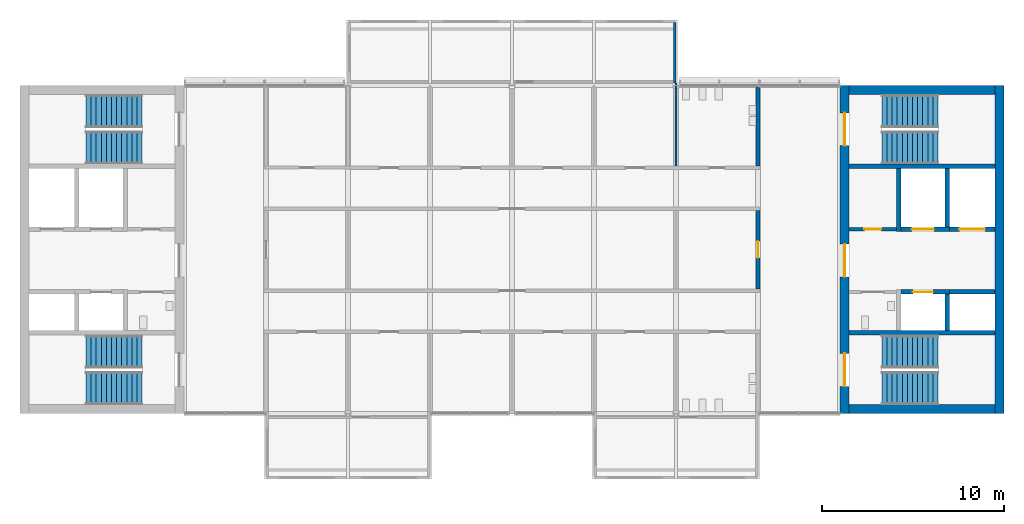
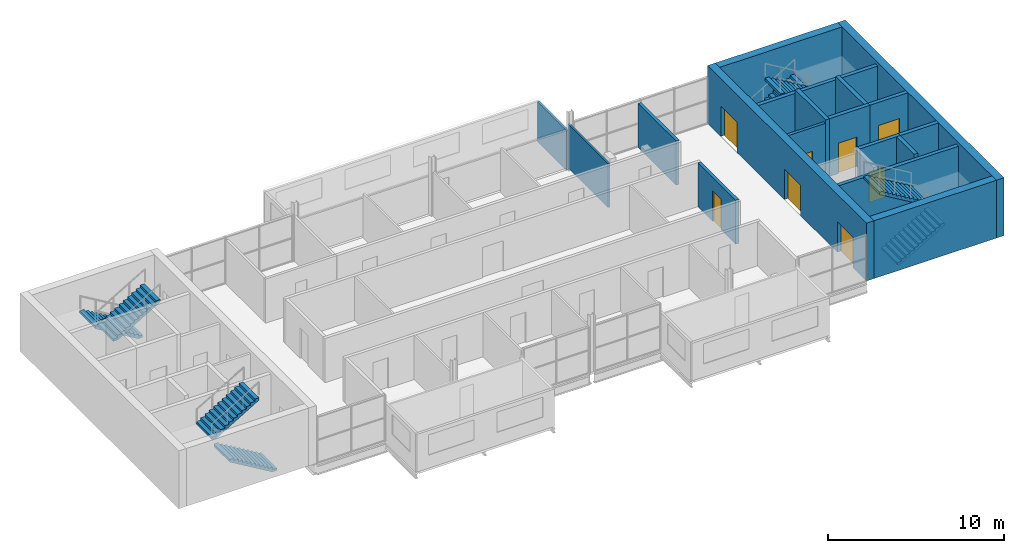
# One storey, part 7 of 10: 18 walls, 8 doors, 8 stair flights, 8 openings, 4 elements without a shape of their own.
"""IFC4 building model written with IfcOpenShell, lengths in metres."""

from ifc_helpers import new_model, si_unit, direction, frame, frame_2d, origin, place, context, subcontext, project, spatial, polyline, rectangle, outline, extrude, material, layer, layer_set, type_object, element, fill, aggregate, save


model = new_model("IFC4")

# Units and contexts
model_context = context("Model", 3, precision=1e-05, world=origin(), true_north=direction((0.0, 1.0)))
body_context = subcontext(model_context, "Body", "Model", "MODEL_VIEW")
ifc_project = project(units=[si_unit("LENGTHUNIT", "METRE"), si_unit("AREAUNIT", "SQUARE_METRE"), si_unit("VOLUMEUNIT", "CUBIC_METRE"), si_unit("PLANEANGLEUNIT", "RADIAN"), si_unit("MASSUNIT", "GRAM", prefix="KILO")], contexts=[model_context])

# Site, building, storey
site_placement = place(None, origin())
site = spatial("IfcSite", under=ifc_project, at=site_placement, CompositionType="ELEMENT")
building_placement = place(site_placement, origin())
building = spatial("IfcBuilding", under=site, at=building_placement, Name="Corbel Yard City Hall", CompositionType="ELEMENT")
storey_placement = place(building_placement, frame((0.0, 0.0, 59.199951171875)))
storey = spatial("IfcBuildingStorey", under=building, at=storey_placement, Name="L14", CompositionType="ELEMENT", Elevation=59.199951171875)

# Walls
ifc_material_1 = material(Name="Concrete N40 (40 MPa)", Category="concrete")
ifc_layer_1 = layer(ifc_material_1, 0.25)
ifc_layer_set_1 = layer_set([ifc_layer_1], Name="Concrete N40 (40 MPa)")
wall_type_1 = type_object("IfcWallType", Name="IW2", PredefinedType="SOLIDWALL", material=ifc_layer_set_1)
for number, where, z_axis, x_axis, name in (
    (1, (45.5, 103.425048828125, 0.0), (0.0, 0.0, 1.0), (1.0, 0.0, 0.0), "Stair enclosure wall"),
    (2, (45.5, 112.574951171875, 0.0), (0.0, 0.0, 1.0), (1.0, 0.0, 0.0), "Stair enclosure wall"),
):
    element("IfcWall", number, at=place(storey_placement, frame(where, z_axis=z_axis, x_axis=x_axis)), inside=storey, type_object=wall_type_1, Name=name, PredefinedType="SOLIDWALL", context=body_context, shape_type="SweptSolid", body=[
        extrude(rectangle(XDim=8.0, YDim=0.25, at=frame_2d((4.0, 0.0))), origin(), (0.0, 0.0, 1.0), 3.75),
    ])
wall_1_placement = place(storey_placement, frame((50.875, 103.550048828125, 0.0), z_axis=(0.0, 0.0, 1.0), x_axis=(0.0, 1.0, 0.0)))
element("IfcWall", 3, at=wall_1_placement, inside=storey, type_object=wall_type_1, Name="Lift LP25 shaft wall", PredefinedType="SOLIDWALL", context=body_context, shape_type="SweptSolid", body=[
    extrude(rectangle(XDim=2.0, YDim=0.25, at=frame_2d((1.0, 0.0))), origin(), (0.0, 0.0, 1.0), 4.0),
])

# Wall, opening, door
wall_2_placement = place(storey_placement, frame((48.35009765625, 105.675048828125, 0.0), z_axis=(0.0, 0.0, 1.0), x_axis=(1.0, 0.0, 0.0)))
wall_2 = element("IfcWall", 4, at=wall_2_placement, inside=storey, type_object=wall_type_1, Name="Lift LP25 shaft wall", PredefinedType="SOLIDWALL", context=body_context, shape_type="SweptSolid", body=[
    extrude(rectangle(XDim=2.64990234375, YDim=0.25, at=frame_2d((1.324951171875, 0.0))), origin(), (0.0, 0.0, 1.0), 4.0),
])
opening_1_placement = place(wall_2_placement, frame((0.64990234375, 0.0, 0.0)))
opening_1 = element("IfcOpeningElement", 5, at=opening_1_placement, cuts=wall_2, Name="Opening T4-007", PredefinedType="OPENING", context=body_context, shape_type="SweptSolid", body=[
    extrude(rectangle(XDim=1.10009765625, YDim=2.10009765625, at=frame_2d((0.550048828125, 1.050048828125))), frame((0.0, 0.135009765625, 0.0), z_axis=(0.0, -1.0, 0.0), x_axis=(1.0, 0.0, 0.0)), (0.0, 0.0, 1.0), 0.27001953125),
])
ifc_material_2 = material(Name="Stainless steel Grade 316", Category="steel")
door_type_1 = type_object("IfcDoorType", Name="LD1", OperationType="DOUBLE_DOOR_SLIDING", PredefinedType="DOOR", material=ifc_material_2)
door_1_placement = place(opening_1_placement, origin())
door_1 = element("IfcDoor", 6, at=door_1_placement, inside=storey, type_object=door_type_1, Name="Lift LP25 landing door", OperationType="DOUBLE_DOOR_SLIDING", OverallHeight=2.10009765625, OverallWidth=1.10009765625, PredefinedType="DOOR", context=body_context, shape_type="SweptSolid", body=[
    extrude(rectangle(XDim=1.10009765625, YDim=2.10009765625, at=frame_2d((0.550048828125, 1.050048828125))), frame((0.0, 0.02490234375, 0.0), z_axis=(0.0, -1.0, 0.0), x_axis=(1.0, 0.0, 0.0)), (0.0, 0.0, 1.0), 0.050048828125),
])
fill(opening_1, door_1)

# Walls
wall_3_placement = place(storey_placement, frame((51.0, 105.675048828125, 0.0), z_axis=(0.0, 0.0, 1.0), x_axis=(1.0, 0.0, 0.0)))
element("IfcWall", 7, at=wall_3_placement, inside=storey, type_object=wall_type_1, Name="Lift LP26 shaft wall", PredefinedType="SOLIDWALL", context=body_context, shape_type="SweptSolid", body=[
    extrude(rectangle(XDim=2.5, YDim=0.25, at=frame_2d((1.25, 0.0))), origin(), (0.0, 0.0, 1.0), 4.0),
])
wall_4_placement = place(storey_placement, frame((48.22509765625, 109.0, 0.0), z_axis=(0.0, 0.0, 1.0), x_axis=(0.0, 1.0, 0.0)))
element("IfcWall", 8, at=wall_4_placement, inside=storey, type_object=wall_type_1, Name="Lift LF2 shaft wall", PredefinedType="SOLIDWALL", context=body_context, shape_type="SweptSolid", body=[
    extrude(rectangle(XDim=3.449951171875, YDim=0.25, at=frame_2d((1.72509765625, 0.0))), origin(), (0.0, 0.0, 1.0), 4.0),
])
wall_5_placement = place(storey_placement, frame((50.875, 109.25, 0.0), z_axis=(0.0, 0.0, 1.0), x_axis=(0.0, 1.0, 0.0)))
element("IfcWall", 9, at=wall_5_placement, inside=storey, type_object=wall_type_1, Name="Lift LF2 shaft wall", PredefinedType="SOLIDWALL", context=body_context, shape_type="SweptSolid", body=[
    extrude(rectangle(XDim=3.199951171875, YDim=0.25, at=frame_2d((1.60009765625, 0.0))), origin(), (0.0, 0.0, 1.0), 4.0),
])

# Wall, opening, door
wall_6_placement = place(storey_placement, frame((48.35009765625, 109.125, 0.0), z_axis=(0.0, 0.0, 1.0), x_axis=(1.0, 0.0, 0.0)))
wall_6 = element("IfcWall", 10, at=wall_6_placement, inside=storey, type_object=wall_type_1, Name="Lift LF2 shaft wall", PredefinedType="SOLIDWALL", context=body_context, shape_type="SweptSolid", body=[
    extrude(rectangle(XDim=2.64990234375, YDim=0.25, at=frame_2d((1.324951171875, 0.0))), origin(), (0.0, 0.0, 1.0), 4.0),
])
opening_2_placement = place(wall_6_placement, frame((0.60009765625, 0.0, 0.0)))
opening_2 = element("IfcOpeningElement", 11, at=opening_2_placement, cuts=wall_6, Name="Opening T4-008", PredefinedType="OPENING", context=body_context, shape_type="SweptSolid", body=[
    extrude(rectangle(XDim=1.199951171875, YDim=2.10009765625, at=frame_2d((0.60009765625, 1.050048828125))), frame((0.0, 0.135009765625, 0.0), z_axis=(0.0, -1.0, 0.0), x_axis=(1.0, 0.0, 0.0)), (0.0, 0.0, 1.0), 0.27001953125),
])
door_type_2 = type_object("IfcDoorType", Name="LD2", OperationType="DOUBLE_DOOR_SLIDING", PredefinedType="DOOR", material=ifc_material_2)
door_2_placement = place(opening_2_placement, origin())
door_2 = element("IfcDoor", 12, at=door_2_placement, inside=storey, type_object=door_type_2, Name="Lift LF2 landing door", OperationType="DOUBLE_DOOR_SLIDING", OverallHeight=2.10009765625, OverallWidth=1.199951171875, PredefinedType="DOOR", context=body_context, shape_type="SweptSolid", body=[
    extrude(rectangle(XDim=1.199951171875, YDim=2.10009765625, at=frame_2d((0.60009765625, 1.050048828125))), frame((0.0, 0.02490234375, 0.0), z_axis=(0.0, -1.0, 0.0), x_axis=(1.0, 0.0, 0.0)), (0.0, 0.0, 1.0), 0.050048828125),
])
fill(opening_2, door_2)

wall_7_placement = place(storey_placement, frame((51.0, 109.125, 0.0), z_axis=(0.0, 0.0, 1.0), x_axis=(1.0, 0.0, 0.0)))
wall_7 = element("IfcWall", 13, at=wall_7_placement, inside=storey, type_object=wall_type_1, Name="Lift LG1 shaft wall", PredefinedType="SOLIDWALL", context=body_context, shape_type="SweptSolid", body=[
    extrude(rectangle(XDim=2.5, YDim=0.25, at=frame_2d((1.25, 0.0))), origin(), (0.0, 0.0, 1.0), 4.0),
])
opening_3_placement = place(wall_7_placement, frame((0.550048828125, 0.0, 0.0)))
opening_3 = element("IfcOpeningElement", 14, at=opening_3_placement, cuts=wall_7, Name="Opening T4-009", PredefinedType="OPENING", context=body_context, shape_type="SweptSolid", body=[
    extrude(rectangle(XDim=1.39990234375, YDim=2.39990234375, at=frame_2d((0.699951171875, 1.199951171875))), frame((0.0, 0.135009765625, 0.0), z_axis=(0.0, -1.0, 0.0), x_axis=(1.0, 0.0, 0.0)), (0.0, 0.0, 1.0), 0.27001953125),
])
door_type_3 = type_object("IfcDoorType", Name="LD3", OperationType="DOUBLE_DOOR_SLIDING", PredefinedType="DOOR", material=ifc_material_2)
door_3_placement = place(opening_3_placement, origin())
door_3 = element("IfcDoor", 15, at=door_3_placement, inside=storey, type_object=door_type_3, Name="Lift LG1 landing door", OperationType="DOUBLE_DOOR_SLIDING", OverallHeight=2.39990234375, OverallWidth=1.39990234375, PredefinedType="DOOR", context=body_context, shape_type="SweptSolid", body=[
    extrude(rectangle(XDim=1.39990234375, YDim=2.39990234375, at=frame_2d((0.699951171875, 1.199951171875))), frame((0.0, 0.02490234375, 0.0), z_axis=(0.0, -1.0, 0.0), x_axis=(1.0, 0.0, 0.0)), (0.0, 0.0, 1.0), 0.050048828125),
])
fill(opening_3, door_3)

# Walls
ifc_material_3 = material(Name="Anodised aluminium", Category="aluminium")
ifc_layer_2 = layer(ifc_material_3, 0.02392578125)
ifc_material_4 = material(Name="Steel Grade G550 (550 MPa yield)", Category="steel")
ifc_layer_3 = layer(ifc_material_4, 0.10009765625)
ifc_material_5 = material(Name="Gypsum plasterboard", Category="gypsum")
ifc_layer_4 = layer(ifc_material_5, 0.02587890625)
ifc_layer_set_2 = layer_set([ifc_layer_2, ifc_layer_3, ifc_layer_4], Name="Steel Grade G550 (550 MPa yield)")
wall_type_2 = type_object("IfcWallType", Name="PD3", PredefinedType="SOLIDWALL", material=ifc_layer_set_2)
wall_8_placement = place(storey_placement, frame((35.925048828125, 120.449951171875, -0.14990234375), z_axis=(0.0, 0.0, 1.0), x_axis=(0.0, -1.0, 0.0)))
element("IfcWall", 16, at=wall_8_placement, inside=storey, type_object=wall_type_2, Name="Pod side wall L14", PredefinedType="SOLIDWALL", context=body_context, shape_type="SweptSolid", body=[
    extrude(rectangle(XDim=3.29443359375, YDim=0.14990234375, at=frame_2d((1.647216796875, 0.0))), origin(), (0.0, 0.0, 1.0), 2.75),
])
ifc_layer_5 = layer(ifc_material_5, 0.028076171875)
ifc_layer_6 = layer(ifc_material_4, 0.06396484375)
ifc_layer_7 = layer(ifc_material_5, 0.028076171875)
ifc_layer_set_3 = layer_set([ifc_layer_5, ifc_layer_6, ifc_layer_7], Name="Steel Grade G550 (550 MPa yield)")
wall_type_3 = type_object("IfcWallType", Name="PT1", PredefinedType="PARTITIONING", material=ifc_layer_set_3)
wall_9_placement = place(storey_placement, frame((36.0, 112.60009765625, 0.0), z_axis=(0.0, 0.0, 1.0), x_axis=(0.0, 1.0, 0.0)))
element("IfcWall", 17, at=wall_9_placement, inside=storey, type_object=wall_type_3, Name="Partition", PredefinedType="PARTITIONING", context=body_context, shape_type="SweptSolid", body=[
    extrude(rectangle(XDim=4.555419921875, YDim=0.1201171875, at=frame_2d((2.27783203125, 0.0))), origin(), (0.0, 0.0, 1.0), 3.050048828125),
])

# Wall, opening, door
ifc_layer_8 = layer(ifc_material_5, 0.031982421875)
ifc_layer_9 = layer(ifc_material_4, 0.135986328125)
ifc_layer_10 = layer(ifc_material_5, 0.031982421875)
ifc_layer_set_4 = layer_set([ifc_layer_8, ifc_layer_9, ifc_layer_10], Name="Steel Grade G550 (550 MPa yield)")
wall_type_4 = type_object("IfcWallType", Name="PT2", PredefinedType="PARTITIONING", material=ifc_layer_set_4)
wall_10_placement = place(storey_placement, frame((40.5, 105.85009765625, 0.0), z_axis=(0.0, 0.0, 1.0), x_axis=(0.0, 1.0, 0.0)))
wall_10 = element("IfcWall", 18, at=wall_10_placement, inside=storey, type_object=wall_type_4, Name="Acoustic wall", PredefinedType="PARTITIONING", context=body_context, shape_type="SweptSolid", body=[
    extrude(rectangle(XDim=4.2998046875, YDim=0.199951171875, at=frame_2d((2.14990234375, 0.0))), origin(), (0.0, 0.0, 1.0), 3.050048828125),
])
opening_4_placement = place(wall_10_placement, frame((1.68994140625, 0.0, 0.0)))
opening_4 = element("IfcOpeningElement", 19, at=opening_4_placement, cuts=wall_10, Name="Opening T4-013", PredefinedType="OPENING", context=body_context, shape_type="SweptSolid", body=[
    extrude(rectangle(XDim=0.919921875, YDim=2.10009765625, at=frame_2d((0.4599609375, 1.050048828125))), frame((0.0, 0.10986328125, 0.0), z_axis=(0.0, -1.0, 0.0), x_axis=(1.0, 0.0, 0.0)), (0.0, 0.0, 1.0), 0.219970703125),
])
ifc_material_6 = material(Name="Timber", Category="wood")
door_type_4 = type_object("IfcDoorType", Name="D4", OperationType="SINGLE_SWING_LEFT", PredefinedType="DOOR", material=ifc_material_6)
door_4_placement = place(opening_4_placement, origin())
door_4 = element("IfcDoor", 20, at=door_4_placement, inside=storey, type_object=door_type_4, Name="Door Pantry 1411", OperationType="SINGLE_SWING_LEFT", OverallHeight=2.10009765625, OverallWidth=0.919921875, PredefinedType="DOOR", context=body_context, shape_type="SweptSolid", body=[
    extrude(rectangle(XDim=0.919921875, YDim=2.10009765625, at=frame_2d((0.4599609375, 1.050048828125))), frame((0.0, 0.02490234375, 0.0), z_axis=(0.0, -1.0, 0.0), x_axis=(1.0, 0.0, 0.0)), (0.0, 0.0, 1.0), 0.050048828125),
])
fill(opening_4, door_4)

# Wall
wall_11_placement = place(storey_placement, frame((40.5, 112.60009765625, 0.0), z_axis=(0.0, 0.0, 1.0), x_axis=(0.0, 1.0, 0.0)))
element("IfcWall", 21, at=wall_11_placement, inside=storey, type_object=wall_type_4, Name="Acoustic wall", PredefinedType="PARTITIONING", context=body_context, shape_type="SweptSolid", body=[
    extrude(rectangle(XDim=4.309814453125, YDim=0.199951171875, at=frame_2d((2.15478515625, 0.0))), origin(), (0.0, 0.0, 1.0), 3.050048828125),
])

# Wall, opening, door
ifc_material_7 = material(Name="Concrete block", Category="concrete")
ifc_layer_11 = layer(ifc_material_7, 0.18994140625)
ifc_layer_set_5 = layer_set([ifc_layer_11], Name="Concrete block")
wall_type_5 = type_object("IfcWallType", Name="PT4", PredefinedType="PARTITIONING", material=ifc_layer_set_5)
wall_12_placement = place(storey_placement, frame((45.5, 109.125, 0.0), z_axis=(0.0, 0.0, 1.0), x_axis=(1.0, 0.0, 0.0)))
wall_12 = element("IfcWall", 22, at=wall_12_placement, inside=storey, type_object=wall_type_5, Name="Riser wall", PredefinedType="PARTITIONING", context=body_context, shape_type="SweptSolid", body=[
    extrude(rectangle(XDim=2.60009765625, YDim=0.18994140625, at=frame_2d((1.300048828125, 0.0))), origin(), (0.0, 0.0, 1.0), 3.75),
])
opening_5_placement = place(wall_12_placement, frame((0.840087890625, 0.0, 0.0)))
opening_5 = element("IfcOpeningElement", 23, at=opening_5_placement, cuts=wall_12, Name="Opening T4-035", PredefinedType="OPENING", context=body_context, shape_type="SweptSolid", body=[
    extrude(rectangle(XDim=0.919921875, YDim=2.10009765625, at=frame_2d((0.4599609375, 1.050048828125))), frame((0.0, 0.10498046875, 0.0), z_axis=(0.0, -1.0, 0.0), x_axis=(1.0, 0.0, 0.0)), (0.0, 0.0, 1.0), 0.2099609375),
])
ifc_material_8 = material(Name="Steel Grade G250", Category="steel")
door_type_5 = type_object("IfcDoorType", Name="FS4", OperationType="SINGLE_SWING_LEFT", PredefinedType="DOOR", material=ifc_material_8)
door_5_placement = place(opening_5_placement, origin())
door_5 = element("IfcDoor", 24, at=door_5_placement, inside=storey, type_object=door_type_5, Name="Door riser East", OperationType="SINGLE_SWING_LEFT", OverallHeight=2.10009765625, OverallWidth=0.919921875, PredefinedType="DOOR", context=body_context, shape_type="SweptSolid", body=[
    extrude(rectangle(XDim=0.919921875, YDim=2.10009765625, at=frame_2d((0.4599609375, 1.050048828125))), frame((0.0, 0.02490234375, 0.0), z_axis=(0.0, -1.0, 0.0), x_axis=(1.0, 0.0, 0.0)), (0.0, 0.0, 1.0), 0.050048828125),
])
fill(opening_5, door_5)

# Wall, openings, doors
ifc_material_9 = material(Name="Concrete N50 (50 MPa)", Category="concrete")
ifc_layer_12 = layer(ifc_material_9, 0.5)
ifc_layer_set_6 = layer_set([ifc_layer_12], Name="Concrete N50 (50 MPa)")
wall_type_6 = type_object("IfcWallType", Name="Trunk wall 500", PredefinedType="SHEAR", material=ifc_layer_set_6)
wall_13_placement = place(storey_placement, frame((45.25, 99.0, 0.0), z_axis=(0.0, 0.0, 1.0), x_axis=(0.0, 1.0, 0.0)))
wall_13 = element("IfcWall", 25, at=wall_13_placement, inside=storey, type_object=wall_type_6, Name="Trunk E west wall", PredefinedType="SHEAR", context=body_context, shape_type="SweptSolid", body=[
    extrude(rectangle(XDim=18.0, YDim=0.5, at=frame_2d((9.0, 0.0))), origin(), (0.0, 0.0, 1.0), 4.0),
])
opening_6_placement = place(wall_13_placement, frame((1.5, 0.0, 0.0)))
opening_6 = element("IfcOpeningElement", 26, at=opening_6_placement, cuts=wall_13, Name="Opening T4-031", PredefinedType="OPENING", context=body_context, shape_type="SweptSolid", body=[
    extrude(rectangle(XDim=1.800048828125, YDim=2.10009765625, at=frame_2d((0.89990234375, 1.050048828125))), frame((0.0, 0.260009765625, 0.0), z_axis=(0.0, -1.0, 0.0), x_axis=(1.0, 0.0, 0.0)), (0.0, 0.0, 1.0), 0.52001953125),
])
opening_7_placement = place(wall_13_placement, frame((14.699951171875, 0.0, 0.0)))
opening_7 = element("IfcOpeningElement", 27, at=opening_7_placement, cuts=wall_13, Name="Opening T4-032", PredefinedType="OPENING", context=body_context, shape_type="SweptSolid", body=[
    extrude(rectangle(XDim=1.800048828125, YDim=2.10009765625, at=frame_2d((0.89990234375, 1.050048828125))), frame((0.0, 0.260009765625, 0.0), z_axis=(0.0, -1.0, 0.0), x_axis=(1.0, 0.0, 0.0)), (0.0, 0.0, 1.0), 0.52001953125),
])
opening_8_placement = place(wall_13_placement, frame((7.5, 0.0, 0.0)))
opening_8 = element("IfcOpeningElement", 28, at=opening_8_placement, cuts=wall_13, Name="Opening T4-033", PredefinedType="OPENING", context=body_context, shape_type="SweptSolid", body=[
    extrude(rectangle(XDim=1.800048828125, YDim=2.10009765625, at=frame_2d((0.89990234375, 1.050048828125))), frame((0.0, 0.260009765625, 0.0), z_axis=(0.0, -1.0, 0.0), x_axis=(1.0, 0.0, 0.0)), (0.0, 0.0, 1.0), 0.52001953125),
])
door_type_6 = type_object("IfcDoorType", Name="FS3", OperationType="DOUBLE_DOOR_SINGLE_SWING", PredefinedType="DOOR", material=ifc_material_8)
door_6_placement = place(opening_6_placement, origin())
door_6 = element("IfcDoor", 29, at=door_6_placement, inside=storey, type_object=door_type_6, Name="Door ST-E1", OperationType="DOUBLE_DOOR_SINGLE_SWING", OverallHeight=2.10009765625, OverallWidth=1.800048828125, PredefinedType="DOOR", context=body_context, shape_type="SweptSolid", body=[
    extrude(rectangle(XDim=1.800048828125, YDim=2.10009765625, at=frame_2d((0.89990234375, 1.050048828125))), frame((0.0, 0.02490234375, 0.0), z_axis=(0.0, -1.0, 0.0), x_axis=(1.0, 0.0, 0.0)), (0.0, 0.0, 1.0), 0.050048828125),
])
fill(opening_6, door_6)
door_7_placement = place(opening_7_placement, origin())
door_7 = element("IfcDoor", 30, at=door_7_placement, inside=storey, type_object=door_type_6, Name="Door ST-E2", OperationType="DOUBLE_DOOR_SINGLE_SWING", OverallHeight=2.10009765625, OverallWidth=1.800048828125, PredefinedType="DOOR", context=body_context, shape_type="SweptSolid", body=[
    extrude(rectangle(XDim=1.800048828125, YDim=2.10009765625, at=frame_2d((0.89990234375, 1.050048828125))), frame((0.0, 0.02490234375, 0.0), z_axis=(0.0, -1.0, 0.0), x_axis=(1.0, 0.0, 0.0)), (0.0, 0.0, 1.0), 0.050048828125),
])
fill(opening_7, door_7)
door_8_placement = place(opening_8_placement, origin())
door_8 = element("IfcDoor", 31, at=door_8_placement, inside=storey, type_object=door_type_6, Name="Door lift lobby East", OperationType="DOUBLE_DOOR_SINGLE_SWING", OverallHeight=2.10009765625, OverallWidth=1.800048828125, PredefinedType="DOOR", context=body_context, shape_type="SweptSolid", body=[
    extrude(rectangle(XDim=1.800048828125, YDim=2.10009765625, at=frame_2d((0.89990234375, 1.050048828125))), frame((0.0, 0.02490234375, 0.0), z_axis=(0.0, -1.0, 0.0), x_axis=(1.0, 0.0, 0.0)), (0.0, 0.0, 1.0), 0.050048828125),
])
fill(opening_8, door_8)

# Walls
wall_14_placement = place(storey_placement, frame((53.75, 99.0, 0.0), z_axis=(0.0, 0.0, 1.0), x_axis=(0.0, 1.0, 0.0)))
element("IfcWall", 32, at=wall_14_placement, inside=storey, type_object=wall_type_6, Name="Trunk E east wall", PredefinedType="SHEAR", context=body_context, shape_type="SweptSolid", body=[
    extrude(rectangle(XDim=18.0, YDim=0.5, at=frame_2d((9.0, 0.0))), origin(), (0.0, 0.0, 1.0), 4.0),
])
for number, where, z_axis, x_axis, name in (
    (33, (45.5, 99.25, 0.0), (0.0, 0.0, 1.0), (1.0, 0.0, 0.0), "Trunk E south wall"),
    (34, (45.5, 116.75, 0.0), (0.0, 0.0, 1.0), (1.0, 0.0, 0.0), "Trunk E north wall"),
):
    element("IfcWall", number, at=place(storey_placement, frame(where, z_axis=z_axis, x_axis=x_axis)), inside=storey, type_object=wall_type_6, Name=name, PredefinedType="SHEAR", context=body_context, shape_type="SweptSolid", body=[
        extrude(rectangle(XDim=8.0, YDim=0.5, at=frame_2d((4.0, 0.0))), origin(), (0.0, 0.0, 1.0), 4.0),
    ])

# Stair, stair flights
stair_type = type_object("IfcStairType", Name="ST4", PredefinedType="HALF_TURN_STAIR", material=ifc_material_1)
stair_1_placement = place(storey_placement, origin())
stair_1 = element("IfcStair", 35, at=stair_1_placement, inside=storey, type_object=stair_type, Name="Exit stair ST-W1 L14", PredefinedType="HALF_TURN_STAIR")
stair_flight_type = type_object("IfcStairFlightType", Name="FL4", PredefinedType="STRAIGHT", material=ifc_material_1)
stair_flight_1_placement = place(storey_placement, frame((6.699951171875, 100.39990234375, 0.0), z_axis=(0.0, 0.0, 1.0), x_axis=(-1.0, 0.0, 0.0)))
stair_flight_1 = element("IfcStairFlight", 36, at=stair_flight_1_placement, type_object=stair_flight_type, Name="ST-W1 flight 1", NumberOfRisers=12, NumberOfTreads=11, PredefinedType="STRAIGHT", RiserHeight=0.166667, TreadLength=0.28, context=body_context, shape_type="SweptSolid", body=[
    extrude(outline(polyline([(0.0, 0.0), (0.0, 0.166748046875), (0.280029296875, 0.166748046875), (0.280029296875, 0.333251953125), (0.56005859375, 0.333251953125), (0.56005859375, 0.5), (0.840087890625, 0.5), (0.840087890625, 0.666748046875), (1.1201171875, 0.666748046875), (1.1201171875, 0.833251953125), (1.39990234375, 0.833251953125), (1.39990234375, 1.0), (1.679931640625, 1.0), (1.679931640625, 1.166748046875), (1.9599609375, 1.166748046875), (1.9599609375, 1.333251953125), (2.239990234375, 1.333251953125), (2.239990234375, 1.5), (2.52001953125, 1.5), (2.52001953125, 1.666748046875), (2.800048828125, 1.666748046875), (2.800048828125, 1.833251953125), (3.080078125, 1.833251953125), (3.080078125, 2.0), (3.080078125, 1.658935546875), (0.29296875, 0.0), (0.0, 0.0)])), frame((0.0, 0.89990234375, 0.0), z_axis=(0.0, -1.0, 0.0), x_axis=(1.0, 0.0, 0.0)), (0.0, 0.0, 1.0), 1.800048828125),
])
stair_flight_2_placement = place(storey_placement, frame((3.6201171875, 102.39990234375, 2.0), z_axis=(0.0, 0.0, 1.0), x_axis=(1.0, 0.0, 0.0)))
stair_flight_2 = element("IfcStairFlight", 37, at=stair_flight_2_placement, type_object=stair_flight_type, Name="ST-W1 flight 2", NumberOfRisers=12, NumberOfTreads=11, PredefinedType="STRAIGHT", RiserHeight=0.166667, TreadLength=0.28, context=body_context, shape_type="SweptSolid", body=[
    extrude(outline(polyline([(0.0, 0.0), (0.0, 0.166748046875), (0.280029296875, 0.166748046875), (0.280029296875, 0.333251953125), (0.56005859375, 0.333251953125), (0.56005859375, 0.5), (0.840087890625, 0.5), (0.840087890625, 0.666748046875), (1.1201171875, 0.666748046875), (1.1201171875, 0.833251953125), (1.39990234375, 0.833251953125), (1.39990234375, 1.0), (1.679931640625, 1.0), (1.679931640625, 1.166748046875), (1.9599609375, 1.166748046875), (1.9599609375, 1.333251953125), (2.239990234375, 1.333251953125), (2.239990234375, 1.5), (2.52001953125, 1.5), (2.52001953125, 1.666748046875), (2.800048828125, 1.666748046875), (2.800048828125, 1.833251953125), (3.080078125, 1.833251953125), (3.080078125, 2.0), (3.080078125, 1.658935546875), (0.29296875, 0.0), (0.0, 0.0)])), frame((0.0, 0.89990234375, 0.0), z_axis=(0.0, -1.0, 0.0), x_axis=(1.0, 0.0, 0.0)), (0.0, 0.0, 1.0), 1.800048828125),
])
aggregate(stair_1, [stair_flight_1, stair_flight_2])

stair_2_placement = place(storey_placement, origin())
stair_2 = element("IfcStair", 38, at=stair_2_placement, inside=storey, type_object=stair_type, Name="Exit stair ST-W2 L14", PredefinedType="HALF_TURN_STAIR")
stair_flight_3_placement = place(storey_placement, frame((6.699951171875, 115.60009765625, 0.0), z_axis=(0.0, 0.0, 1.0), x_axis=(-1.0, 0.0, 0.0)))
stair_flight_3 = element("IfcStairFlight", 39, at=stair_flight_3_placement, type_object=stair_flight_type, Name="ST-W2 flight 1", NumberOfRisers=12, NumberOfTreads=11, PredefinedType="STRAIGHT", RiserHeight=0.166667, TreadLength=0.28, context=body_context, shape_type="SweptSolid", body=[
    extrude(outline(polyline([(0.0, 0.0), (0.0, 0.166748046875), (0.280029296875, 0.166748046875), (0.280029296875, 0.333251953125), (0.56005859375, 0.333251953125), (0.56005859375, 0.5), (0.840087890625, 0.5), (0.840087890625, 0.666748046875), (1.1201171875, 0.666748046875), (1.1201171875, 0.833251953125), (1.39990234375, 0.833251953125), (1.39990234375, 1.0), (1.679931640625, 1.0), (1.679931640625, 1.166748046875), (1.9599609375, 1.166748046875), (1.9599609375, 1.333251953125), (2.239990234375, 1.333251953125), (2.239990234375, 1.5), (2.52001953125, 1.5), (2.52001953125, 1.666748046875), (2.800048828125, 1.666748046875), (2.800048828125, 1.833251953125), (3.080078125, 1.833251953125), (3.080078125, 2.0), (3.080078125, 1.658935546875), (0.29296875, 0.0), (0.0, 0.0)])), frame((0.0, 0.89990234375, 0.0), z_axis=(0.0, -1.0, 0.0), x_axis=(1.0, 0.0, 0.0)), (0.0, 0.0, 1.0), 1.800048828125),
])
stair_flight_4_placement = place(storey_placement, frame((3.6201171875, 113.60009765625, 2.0), z_axis=(0.0, 0.0, 1.0), x_axis=(1.0, 0.0, 0.0)))
stair_flight_4 = element("IfcStairFlight", 40, at=stair_flight_4_placement, type_object=stair_flight_type, Name="ST-W2 flight 2", NumberOfRisers=12, NumberOfTreads=11, PredefinedType="STRAIGHT", RiserHeight=0.166667, TreadLength=0.28, context=body_context, shape_type="SweptSolid", body=[
    extrude(outline(polyline([(0.0, 0.0), (0.0, 0.166748046875), (0.280029296875, 0.166748046875), (0.280029296875, 0.333251953125), (0.56005859375, 0.333251953125), (0.56005859375, 0.5), (0.840087890625, 0.5), (0.840087890625, 0.666748046875), (1.1201171875, 0.666748046875), (1.1201171875, 0.833251953125), (1.39990234375, 0.833251953125), (1.39990234375, 1.0), (1.679931640625, 1.0), (1.679931640625, 1.166748046875), (1.9599609375, 1.166748046875), (1.9599609375, 1.333251953125), (2.239990234375, 1.333251953125), (2.239990234375, 1.5), (2.52001953125, 1.5), (2.52001953125, 1.666748046875), (2.800048828125, 1.666748046875), (2.800048828125, 1.833251953125), (3.080078125, 1.833251953125), (3.080078125, 2.0), (3.080078125, 1.658935546875), (0.29296875, 0.0), (0.0, 0.0)])), frame((0.0, 0.89990234375, 0.0), z_axis=(0.0, -1.0, 0.0), x_axis=(1.0, 0.0, 0.0)), (0.0, 0.0, 1.0), 1.800048828125),
])
aggregate(stair_2, [stair_flight_3, stair_flight_4])

stair_3_placement = place(storey_placement, origin())
stair_3 = element("IfcStair", 41, at=stair_3_placement, inside=storey, type_object=stair_type, Name="Exit stair ST-E1 L14", PredefinedType="HALF_TURN_STAIR")
stair_flight_5_placement = place(storey_placement, frame((47.300048828125, 100.39990234375, 0.0), z_axis=(0.0, 0.0, 1.0), x_axis=(1.0, 0.0, 0.0)))
stair_flight_5 = element("IfcStairFlight", 42, at=stair_flight_5_placement, type_object=stair_flight_type, Name="ST-E1 flight 1", NumberOfRisers=12, NumberOfTreads=11, PredefinedType="STRAIGHT", RiserHeight=0.166667, TreadLength=0.28, context=body_context, shape_type="SweptSolid", body=[
    extrude(outline(polyline([(0.0, 0.0), (0.0, 0.166748046875), (0.280029296875, 0.166748046875), (0.280029296875, 0.333251953125), (0.56005859375, 0.333251953125), (0.56005859375, 0.5), (0.840087890625, 0.5), (0.840087890625, 0.666748046875), (1.1201171875, 0.666748046875), (1.1201171875, 0.833251953125), (1.39990234375, 0.833251953125), (1.39990234375, 1.0), (1.679931640625, 1.0), (1.679931640625, 1.166748046875), (1.9599609375, 1.166748046875), (1.9599609375, 1.333251953125), (2.239990234375, 1.333251953125), (2.239990234375, 1.5), (2.52001953125, 1.5), (2.52001953125, 1.666748046875), (2.800048828125, 1.666748046875), (2.800048828125, 1.833251953125), (3.080078125, 1.833251953125), (3.080078125, 2.0), (3.080078125, 1.658935546875), (0.29296875, 0.0), (0.0, 0.0)])), frame((0.0, 0.89990234375, 0.0), z_axis=(0.0, -1.0, 0.0), x_axis=(1.0, 0.0, 0.0)), (0.0, 0.0, 1.0), 1.800048828125),
])
stair_flight_6_placement = place(storey_placement, frame((50.3798828125, 102.39990234375, 2.0), z_axis=(0.0, 0.0, 1.0), x_axis=(-1.0, 0.0, 0.0)))
stair_flight_6 = element("IfcStairFlight", 43, at=stair_flight_6_placement, type_object=stair_flight_type, Name="ST-E1 flight 2", NumberOfRisers=12, NumberOfTreads=11, PredefinedType="STRAIGHT", RiserHeight=0.166667, TreadLength=0.28, context=body_context, shape_type="SweptSolid", body=[
    extrude(outline(polyline([(0.0, 0.0), (0.0, 0.166748046875), (0.280029296875, 0.166748046875), (0.280029296875, 0.333251953125), (0.56005859375, 0.333251953125), (0.56005859375, 0.5), (0.840087890625, 0.5), (0.840087890625, 0.666748046875), (1.1201171875, 0.666748046875), (1.1201171875, 0.833251953125), (1.39990234375, 0.833251953125), (1.39990234375, 1.0), (1.679931640625, 1.0), (1.679931640625, 1.166748046875), (1.9599609375, 1.166748046875), (1.9599609375, 1.333251953125), (2.239990234375, 1.333251953125), (2.239990234375, 1.5), (2.52001953125, 1.5), (2.52001953125, 1.666748046875), (2.800048828125, 1.666748046875), (2.800048828125, 1.833251953125), (3.080078125, 1.833251953125), (3.080078125, 2.0), (3.080078125, 1.658935546875), (0.29296875, 0.0), (0.0, 0.0)])), frame((0.0, 0.89990234375, 0.0), z_axis=(0.0, -1.0, 0.0), x_axis=(1.0, 0.0, 0.0)), (0.0, 0.0, 1.0), 1.800048828125),
])
aggregate(stair_3, [stair_flight_5, stair_flight_6])

stair_4_placement = place(storey_placement, origin())
stair_4 = element("IfcStair", 44, at=stair_4_placement, inside=storey, type_object=stair_type, Name="Exit stair ST-E2 L14", PredefinedType="HALF_TURN_STAIR")
stair_flight_7_placement = place(storey_placement, frame((47.300048828125, 115.60009765625, 0.0), z_axis=(0.0, 0.0, 1.0), x_axis=(1.0, 0.0, 0.0)))
stair_flight_7 = element("IfcStairFlight", 45, at=stair_flight_7_placement, type_object=stair_flight_type, Name="ST-E2 flight 1", NumberOfRisers=12, NumberOfTreads=11, PredefinedType="STRAIGHT", RiserHeight=0.166667, TreadLength=0.28, context=body_context, shape_type="SweptSolid", body=[
    extrude(outline(polyline([(0.0, 0.0), (0.0, 0.166748046875), (0.280029296875, 0.166748046875), (0.280029296875, 0.333251953125), (0.56005859375, 0.333251953125), (0.56005859375, 0.5), (0.840087890625, 0.5), (0.840087890625, 0.666748046875), (1.1201171875, 0.666748046875), (1.1201171875, 0.833251953125), (1.39990234375, 0.833251953125), (1.39990234375, 1.0), (1.679931640625, 1.0), (1.679931640625, 1.166748046875), (1.9599609375, 1.166748046875), (1.9599609375, 1.333251953125), (2.239990234375, 1.333251953125), (2.239990234375, 1.5), (2.52001953125, 1.5), (2.52001953125, 1.666748046875), (2.800048828125, 1.666748046875), (2.800048828125, 1.833251953125), (3.080078125, 1.833251953125), (3.080078125, 2.0), (3.080078125, 1.658935546875), (0.29296875, 0.0), (0.0, 0.0)])), frame((0.0, 0.89990234375, 0.0), z_axis=(0.0, -1.0, 0.0), x_axis=(1.0, 0.0, 0.0)), (0.0, 0.0, 1.0), 1.800048828125),
])
stair_flight_8_placement = place(storey_placement, frame((50.3798828125, 113.60009765625, 2.0), z_axis=(0.0, 0.0, 1.0), x_axis=(-1.0, 0.0, 0.0)))
stair_flight_8 = element("IfcStairFlight", 46, at=stair_flight_8_placement, type_object=stair_flight_type, Name="ST-E2 flight 2", NumberOfRisers=12, NumberOfTreads=11, PredefinedType="STRAIGHT", RiserHeight=0.166667, TreadLength=0.28, context=body_context, shape_type="SweptSolid", body=[
    extrude(outline(polyline([(0.0, 0.0), (0.0, 0.166748046875), (0.280029296875, 0.166748046875), (0.280029296875, 0.333251953125), (0.56005859375, 0.333251953125), (0.56005859375, 0.5), (0.840087890625, 0.5), (0.840087890625, 0.666748046875), (1.1201171875, 0.666748046875), (1.1201171875, 0.833251953125), (1.39990234375, 0.833251953125), (1.39990234375, 1.0), (1.679931640625, 1.0), (1.679931640625, 1.166748046875), (1.9599609375, 1.166748046875), (1.9599609375, 1.333251953125), (2.239990234375, 1.333251953125), (2.239990234375, 1.5), (2.52001953125, 1.5), (2.52001953125, 1.666748046875), (2.800048828125, 1.666748046875), (2.800048828125, 1.833251953125), (3.080078125, 1.833251953125), (3.080078125, 2.0), (3.080078125, 1.658935546875), (0.29296875, 0.0), (0.0, 0.0)])), frame((0.0, 0.89990234375, 0.0), z_axis=(0.0, -1.0, 0.0), x_axis=(1.0, 0.0, 0.0)), (0.0, 0.0, 1.0), 1.800048828125),
])
aggregate(stair_4, [stair_flight_7, stair_flight_8])

save(model, "model.ifc")
